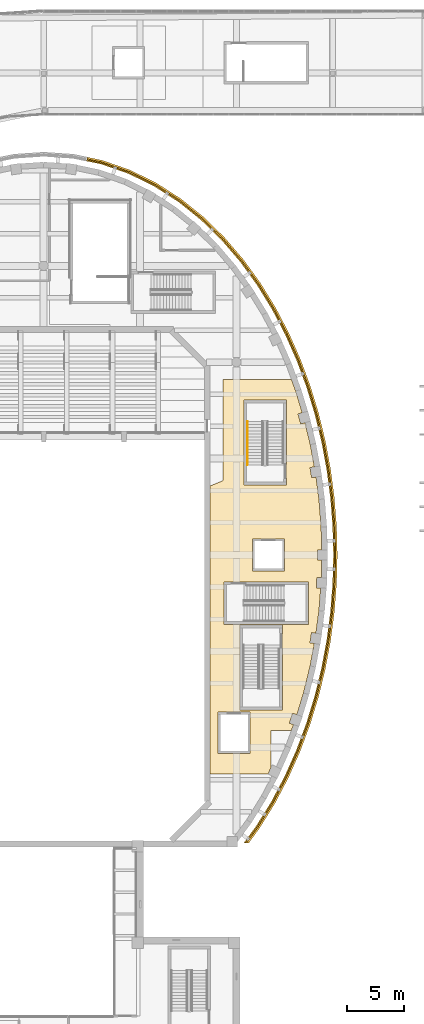
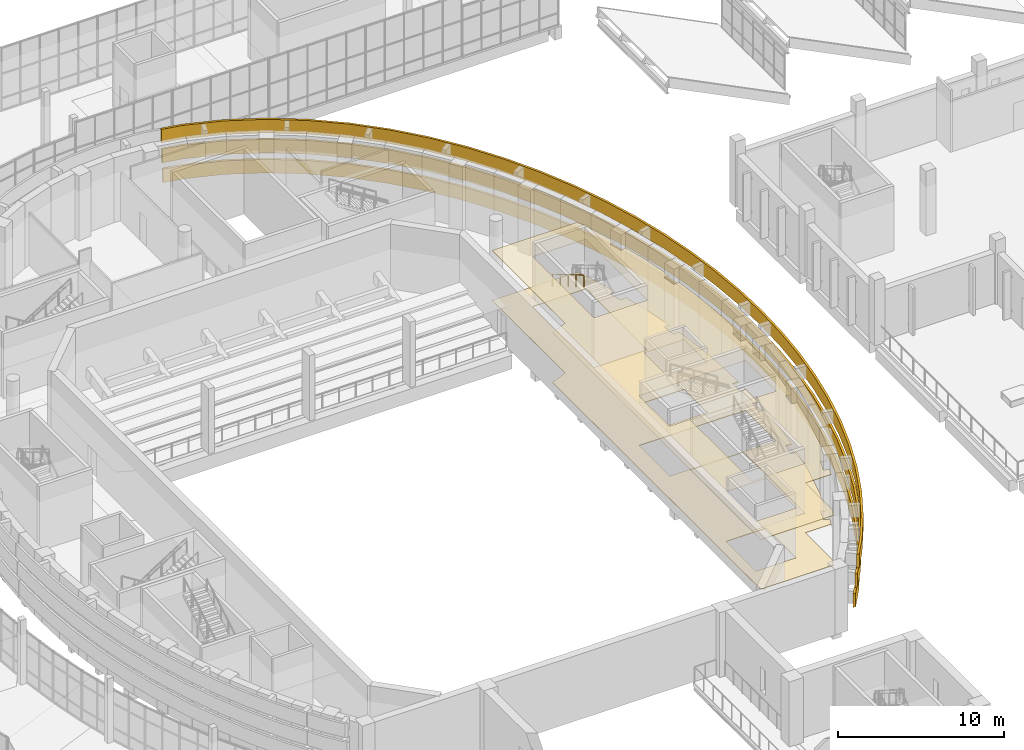
# One storey, part 91 of 103: 5 coverings, 1 railing.
"""IFC4 building model written with IfcOpenShell, lengths in metres."""

from ifc_helpers import new_model, si_unit, direction, frame, origin, origin_2d, place, context, subcontext, project, spatial, polyline, circle, outline, extrude, material, layer, layer_set, type_object, element, save


model = new_model("IFC4")

# Units and contexts
model_context = context("Model", 3, precision=1e-05, world=origin(), true_north=direction((0.0, 1.0)))
body_context = subcontext(model_context, "Body", "Model", "MODEL_VIEW")
ifc_project = project(units=[si_unit("LENGTHUNIT", "METRE"), si_unit("AREAUNIT", "SQUARE_METRE"), si_unit("VOLUMEUNIT", "CUBIC_METRE"), si_unit("PLANEANGLEUNIT", "RADIAN"), si_unit("MASSUNIT", "GRAM", prefix="KILO")], contexts=[model_context])

# Site, building, storey
site_placement = place(None, origin())
site = spatial("IfcSite", under=ifc_project, at=site_placement, CompositionType="ELEMENT")
building_placement = place(site_placement, origin())
building = spatial("IfcBuilding", under=site, at=building_placement, Name="Larchfold Concert Hall", CompositionType="ELEMENT")
storey_placement = place(building_placement, frame((0.0, 0.0, 9.60009765625)))
storey = spatial("IfcBuildingStorey", under=building, at=storey_placement, Name="L02", CompositionType="ELEMENT", Elevation=9.60009765625)

# Coverings
ifc_material_1 = material(Name="Plasterboard ceiling lining")
ifc_layer_1 = layer(ifc_material_1, 0.030029296875)
ifc_layer_set_1 = layer_set([ifc_layer_1], Name="Plasterboard ceiling lining")
covering_type_1 = type_object("IfcCoveringType", Name="Ceiling suspended plasterboard 30", PredefinedType="CEILING", material=ifc_layer_set_1)
covering_1_placement = place(storey_placement, frame((0.0, 0.0, 3.669921875)))
element("IfcCovering", 1, at=covering_1_placement, inside=storey, type_object=covering_type_1, Name="Ceiling Hall Foyer East", PredefinedType="CEILING", context=body_context, shape_type="SweptSolid", body=[
    extrude(outline(polyline([(58.24560546875, 91.080810546875), (57.10009765625, 90.606201171875), (57.10009765625, 65.5009765625), (62.1474609375, 65.5009765625), (62.399169921875, 66.0205078125), (62.3994140625, 69.29345703125), (62.408203125, 69.301025390625), (64.194091796875, 69.301025390625), (64.384521484375, 69.812255859375), (64.0185546875, 69.935791015625), (64.306884765625, 70.78857421875), (64.67333984375, 70.66455078125), (65.253662109375, 72.562255859375), (65.83203125, 74.927490234375), (66.1962890625, 76.87890625), (65.8134765625, 76.939697265625), (65.95458984375, 77.828369140625), (66.337646484375, 77.767578125), (66.5966796875, 79.73583984375), (66.751708984375, 81.716064453125), (66.3642578125, 81.736328125), (66.410888671875, 82.635009765625), (66.798583984375, 82.614990234375), (66.83837890625, 84.150146484375), (66.4501953125, 84.150146484375), (66.4501953125, 85.050048828125), (66.83837890625, 85.050048828125), (66.78759765625, 87.020263671875), (66.599853515625, 89.433837890625), (66.34423828125, 91.3876953125), (65.961181640625, 91.3271484375), (65.82080078125, 92.216064453125), (66.203857421875, 92.276611328125), (65.84423828125, 94.215087890625), (65.3798828125, 96.128173828125), (65.00634765625, 96.0263671875), (64.76953125, 96.89453125), (65.142822265625, 96.996337890625), (64.570068359375, 98.881591796875), (64.194091796875, 99.899169921875), (58.2509765625, 99.899169921875), (58.2509765625, 91.088623046875), (58.24560546875, 91.080810546875)]), holes=[polyline([(58.300048828125, 82.25), (65.699951171875, 82.25), (65.699951171875, 78.550048828125), (58.300048828125, 78.550048828125), (58.300048828125, 82.25)]), polyline([(60.050048828125, 90.699951171875), (60.050048828125, 98.10009765625), (63.75, 98.10009765625), (63.75, 90.699951171875), (60.050048828125, 90.699951171875)]), polyline([(60.800048828125, 86.0), (63.60009765625, 86.0), (63.60009765625, 83.199951171875), (60.800048828125, 83.199951171875), (60.800048828125, 86.0)]), polyline([(59.699951171875, 78.5), (63.39990234375, 78.5), (63.39990234375, 71.10009765625), (59.699951171875, 71.10009765625), (59.699951171875, 78.5)]), polyline([(57.800048828125, 67.300048828125), (57.800048828125, 70.89990234375), (60.60009765625, 70.89990234375), (60.60009765625, 67.300048828125), (57.800048828125, 67.300048828125)])]), origin(), (0.0, 0.0, 1.0), 0.030029296875),
])
ifc_material_2 = material(Name="Polished terrazzo")
ifc_layer_2 = layer(ifc_material_2, 0.0400390625)
ifc_layer_set_2 = layer_set([ifc_layer_2], Name="Polished terrazzo")
covering_type_2 = type_object("IfcCoveringType", Name="Floor finish terrazzo 40", PredefinedType="FLOORING", material=ifc_layer_set_2)
covering_2_placement = place(storey_placement, origin())
element("IfcCovering", 2, at=covering_2_placement, inside=storey, type_object=covering_type_2, Name="Floor finish Hall Foyer East", PredefinedType="FLOORING", context=body_context, shape_type="SweptSolid", body=[
    extrude(outline(polyline([(58.24560546875, 91.080810546875), (57.10009765625, 90.606201171875), (57.10009765625, 65.5009765625), (62.1474609375, 65.5009765625), (62.399169921875, 66.0205078125), (62.3994140625, 69.29345703125), (62.408203125, 69.301025390625), (64.194091796875, 69.301025390625), (64.384521484375, 69.812255859375), (64.0185546875, 69.935791015625), (64.306884765625, 70.78857421875), (64.67333984375, 70.66455078125), (65.253662109375, 72.562255859375), (65.83203125, 74.927490234375), (66.1962890625, 76.87890625), (65.8134765625, 76.939697265625), (65.95458984375, 77.828369140625), (66.337646484375, 77.767578125), (66.5966796875, 79.73583984375), (66.751708984375, 81.716064453125), (66.3642578125, 81.736328125), (66.410888671875, 82.635009765625), (66.798583984375, 82.614990234375), (66.83837890625, 84.150146484375), (66.4501953125, 84.150146484375), (66.4501953125, 85.050048828125), (66.83837890625, 85.050048828125), (66.78759765625, 87.020263671875), (66.599853515625, 89.433837890625), (66.34423828125, 91.3876953125), (65.961181640625, 91.3271484375), (65.82080078125, 92.216064453125), (66.203857421875, 92.276611328125), (65.84423828125, 94.215087890625), (65.3798828125, 96.128173828125), (65.00634765625, 96.0263671875), (64.76953125, 96.89453125), (65.142822265625, 96.996337890625), (64.570068359375, 98.881591796875), (64.194091796875, 99.899169921875), (58.2509765625, 99.899169921875), (58.2509765625, 91.088623046875), (58.24560546875, 91.080810546875)]), holes=[polyline([(58.300048828125, 82.25), (65.699951171875, 82.25), (65.699951171875, 78.550048828125), (58.300048828125, 78.550048828125), (58.300048828125, 82.25)]), polyline([(60.050048828125, 90.699951171875), (60.050048828125, 98.10009765625), (63.75, 98.10009765625), (63.75, 90.699951171875), (60.050048828125, 90.699951171875)]), polyline([(60.800048828125, 86.0), (63.60009765625, 86.0), (63.60009765625, 83.199951171875), (60.800048828125, 83.199951171875), (60.800048828125, 86.0)]), polyline([(59.699951171875, 78.5), (63.39990234375, 78.5), (63.39990234375, 71.10009765625), (59.699951171875, 71.10009765625), (59.699951171875, 78.5)]), polyline([(57.800048828125, 67.300048828125), (57.800048828125, 70.89990234375), (60.60009765625, 70.89990234375), (60.60009765625, 67.300048828125), (57.800048828125, 67.300048828125)])]), origin(), (0.0, 0.0, 1.0), 0.0400390625),
])
ifc_material_3 = material(Name="Powder-coated orange aluminium", Category="aluminium")
ifc_layer_3 = layer(ifc_material_3, 0.14990234375)
ifc_layer_set_3 = layer_set([ifc_layer_3], Name="Powder-coated orange aluminium")
covering_type_3 = type_object("IfcCoveringType", Name="Orange aluminium ring cladding", PredefinedType="CLADDING", material=ifc_layer_set_3)
covering_3_placement = place(storey_placement, frame((0.0, 0.0, 1.2998046875)))
element("IfcCovering", 3, at=covering_3_placement, inside=storey, type_object=covering_type_3, Name="Ring band R03a", PredefinedType="CLADDING", context=body_context, shape_type="SweptSolid", body=[
    extrude(outline(polyline([(66.95654296875, 74.68505859375), (67.4150390625, 77.140869140625), (67.740966796875, 79.6162109375), (67.935791015625, 82.105224609375), (68.000244140625, 84.60009765625), (67.9365234375, 87.079833984375), (67.744140625, 89.552978515625), (67.42236328125, 92.013671875), (66.969482421875, 94.454345703125), (66.38330078125, 96.868408203125), (65.6611328125, 99.247314453125), (64.798828125, 101.581298828125), (63.7919921875, 103.860107421875), (62.636474609375, 106.071044921875), (61.326904296875, 108.199462890625), (59.85791015625, 110.227294921875), (58.22509765625, 112.133544921875), (56.42578125, 113.89306640625), (54.45947265625, 115.475341796875), (52.33154296875, 116.846923828125), (50.053955078125, 117.970458984375), (47.648681640625, 118.808349609375), (46.363037109375, 119.074951171875), (46.3466796875, 118.925048828125), (47.608642578125, 118.663330078125), (49.995849609375, 117.83203125), (52.257568359375, 116.71630859375), (54.37158203125, 115.353515625), (56.326171875, 113.780517578125), (58.115478515625, 112.031005859375), (59.739990234375, 110.13427734375), (61.2021484375, 108.115966796875), (62.506103515625, 105.996826171875), (63.65673828125, 103.794921875), (64.65966796875, 101.52490234375), (65.518798828125, 99.199462890625), (66.238525390625, 96.8291015625), (66.82275390625, 94.423095703125), (67.274169921875, 91.990234375), (67.594970703125, 89.537353515625), (67.78662109375, 87.072021484375), (67.850341796875, 84.60009765625), (67.785888671875, 82.113037109375), (67.591796875, 79.6318359375), (67.266845703125, 77.164306640625), (66.809814453125, 74.716796875), (66.218505859375, 72.296875), (65.4892578125, 69.913330078125), (64.618896484375, 67.575439453125), (63.603271484375, 65.2939453125), (62.43701171875, 63.082275390625), (61.115478515625, 60.95556640625), (60.0498046875, 59.5), (60.23583984375, 59.5), (61.239990234375, 60.87158203125), (62.567138671875, 63.007568359375), (63.73828125, 65.228271484375), (64.7578125, 67.5185546875), (65.63134765625, 69.864990234375), (66.363037109375, 72.257080078125), (66.95654296875, 74.68505859375)])), origin(), (0.0, 0.0, 1.0), 1.0),
])
covering_4_placement = place(storey_placement, frame((0.0, 0.0, 2.699951171875)))
element("IfcCovering", 4, at=covering_4_placement, inside=storey, type_object=covering_type_3, Name="Ring band R04a", PredefinedType="CLADDING", context=body_context, shape_type="SweptSolid", body=[
    extrude(outline(polyline([(67.05419921875, 74.6640625), (67.513916015625, 77.125), (67.84033203125, 79.605712890625), (68.03564453125, 82.099853515625), (68.100341796875, 84.60009765625), (68.036376953125, 87.0849609375), (67.84375, 89.5634765625), (67.52099609375, 92.029296875), (67.0673828125, 94.475341796875), (66.47998046875, 96.894775390625), (65.755859375, 99.279052734375), (64.8916015625, 101.618896484375), (63.882080078125, 103.903564453125), (62.7236328125, 106.120361328125), (61.41015625, 108.255126953125), (59.936279296875, 110.2890625), (58.298095703125, 112.201904296875), (56.492431640625, 113.9677734375), (54.51806640625, 115.556640625), (52.381103515625, 116.93408203125), (50.092529296875, 118.06298828125), (47.675537109375, 118.90478515625), (46.373779296875, 119.1748046875), (46.357421875, 119.02490234375), (47.635498046875, 118.760009765625), (50.034423828125, 117.92431640625), (52.306884765625, 116.803466796875), (54.43017578125, 115.434814453125), (56.392578125, 113.85546875), (58.1884765625, 112.099365234375), (59.818603515625, 110.1962890625), (61.285400390625, 108.171630859375), (62.593017578125, 106.04638671875), (63.746826171875, 103.83837890625), (64.75244140625, 101.5625), (65.613525390625, 99.2314453125), (66.335205078125, 96.85546875), (66.920654296875, 94.44384765625), (67.372802734375, 92.005859375), (67.6943359375, 89.5478515625), (67.886474609375, 87.0771484375), (67.9501953125, 84.60009765625), (67.8857421875, 82.107666015625), (67.691162109375, 79.62158203125), (67.36572265625, 77.148681640625), (66.907470703125, 74.695556640625), (66.31494140625, 72.270263671875), (65.583984375, 69.881103515625), (64.71142578125, 67.53759765625), (63.693359375, 65.250244140625), (62.523681640625, 63.032470703125), (61.198486328125, 60.899658203125), (60.173828125, 59.5), (60.359619140625, 59.5), (61.322998046875, 60.8154296875), (62.654052734375, 62.957763671875), (63.828369140625, 65.1845703125), (64.8505859375, 67.480712890625), (65.72607421875, 69.8330078125), (66.45947265625, 72.23046875), (67.05419921875, 74.6640625)])), origin(), (0.0, 0.0, 1.0), 1.0),
])
covering_5_placement = place(storey_placement, frame((0.0, 0.0, 4.099853515625)))
element("IfcCovering", 5, at=covering_5_placement, inside=storey, type_object=covering_type_3, Name="Ring band R05a", PredefinedType="CLADDING", context=body_context, shape_type="SweptSolid", body=[
    extrude(outline(polyline([(67.152099609375, 74.64306640625), (67.61279296875, 77.109375), (67.93994140625, 79.595458984375), (68.135498046875, 82.0947265625), (68.200439453125, 84.60009765625), (68.13623046875, 87.090087890625), (67.943115234375, 89.57373046875), (67.619873046875, 92.044921875), (67.165283203125, 94.496337890625), (66.576416015625, 96.921142578125), (65.850830078125, 99.31103515625), (64.984130859375, 101.656494140625), (63.972412109375, 103.94677734375), (62.810546875, 106.169921875), (61.4931640625, 108.310546875), (60.014892578125, 110.35107421875), (58.37109375, 112.2705078125), (56.558837890625, 114.042724609375), (54.57666015625, 115.6376953125), (52.430419921875, 117.021240234375), (50.13134765625, 118.1552734375), (47.7021484375, 119.00146484375), (46.384521484375, 119.274658203125), (46.368408203125, 119.124755859375), (47.662109375, 118.8564453125), (50.0732421875, 118.016845703125), (52.3564453125, 116.890625), (54.48876953125, 115.515869140625), (56.459228515625, 113.930419921875), (58.261474609375, 112.167724609375), (59.89697265625, 110.25830078125), (61.368408203125, 108.227294921875), (62.68017578125, 106.095703125), (63.837158203125, 103.8818359375), (64.84521484375, 101.60009765625), (65.70849609375, 99.26318359375), (66.431640625, 96.881591796875), (67.0185546875, 94.46484375), (67.4716796875, 92.021484375), (67.7939453125, 89.55810546875), (67.986328125, 87.082275390625), (68.05029296875, 84.60009765625), (67.985595703125, 82.1025390625), (67.790771484375, 79.611083984375), (67.464599609375, 77.1328125), (67.00537109375, 74.674560546875), (66.411376953125, 72.243896484375), (65.6787109375, 69.84912109375), (64.80419921875, 67.499755859375), (63.783447265625, 65.20654296875), (62.610595703125, 62.982666015625), (61.281494140625, 60.843505859375), (60.2978515625, 59.5), (60.483642578125, 59.5), (61.40576171875, 60.759521484375), (62.74072265625, 62.907958984375), (63.91845703125, 65.140869140625), (64.943115234375, 67.44287109375), (65.82080078125, 69.80078125), (66.555908203125, 72.2041015625), (67.152099609375, 74.64306640625)])), origin(), (0.0, 0.0, 1.0), 1.0),
])

# Railing
ifc_material_4 = material(Name="Stainless steel handrail", Category="steel")
railing_type = type_object("IfcRailingType", Name="Stair handrail 900", PredefinedType="HANDRAIL", material=ifc_material_4)
railing_placement = place(storey_placement, frame((60.35009765625, 96.22998046875, 2.559814453125)))
element("IfcRailing", 6, at=railing_placement, inside=storey, type_object=railing_type, Name="Handrail HR0002", PredefinedType="HANDRAIL", context=body_context, shape_type="SweptSolid", body=[
    extrude(circle(Radius=0.02392578125, at=origin_2d()), frame((0.0, 0.0, 0.8759765625), z_axis=(0.0, -0.860294241299, 0.509797821089), x_axis=(1.0, 0.0, 0.0)), (0.0, 0.0, 1.0), 4.393798828125),
    extrude(circle(Radius=0.02099609375, at=origin_2d()), origin(), (0.0, 0.0, 1.0), 0.851806640625),
    extrude(circle(Radius=0.02099609375, at=origin_2d()), frame((0.0, -0.945068359375, 0.56005859375)), (0.0, 0.0, 1.0), 0.851806640625),
    extrude(circle(Radius=0.02099609375, at=origin_2d()), frame((0.0, -1.89013671875, 1.1201171875)), (0.0, 0.0, 1.0), 0.851806640625),
    extrude(circle(Radius=0.02099609375, at=origin_2d()), frame((0.0, -2.8349609375, 1.679931640625)), (0.0, 0.0, 1.0), 0.851806640625),
    extrude(circle(Radius=0.02099609375, at=origin_2d()), frame((0.0, -3.780029296875, 2.239990234375)), (0.0, 0.0, 1.0), 0.851806640625),
])

save(model, "model.ifc")
